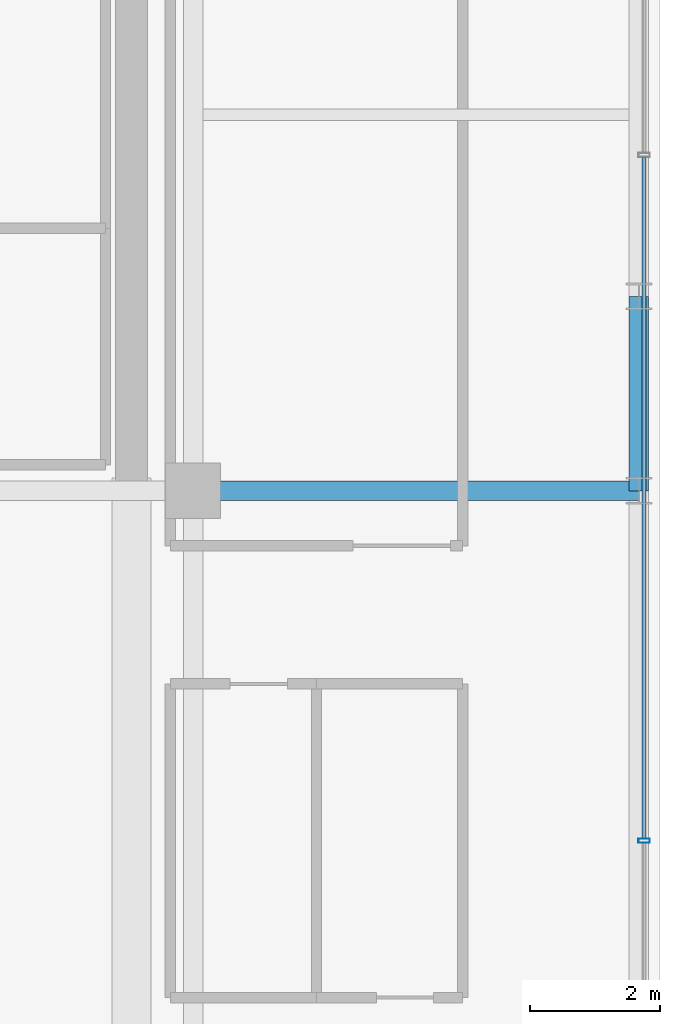
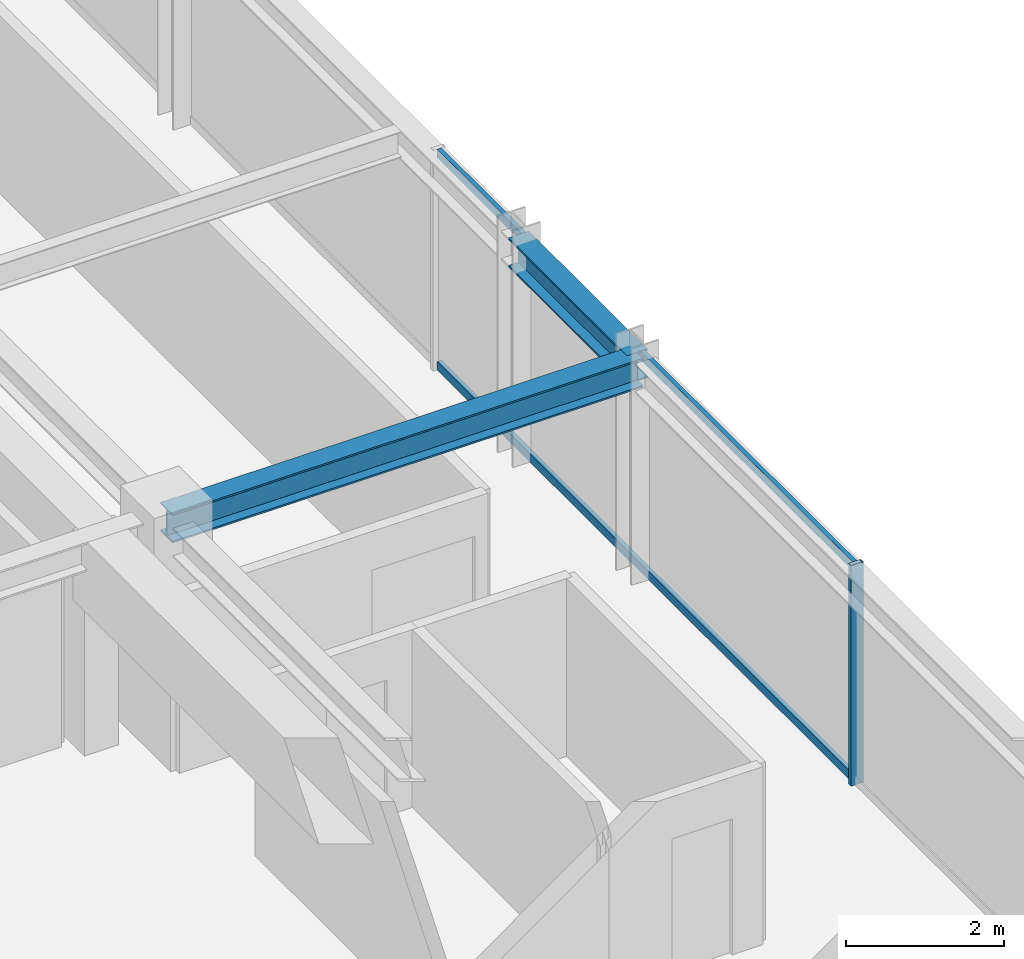
# One storey, part 17 of 36: 3 members, 2 beams, 1 element without a shape of its own.
"""IFC4 building model written with IfcOpenShell, lengths in metres."""

from ifc_helpers import new_model, si_unit, direction, frame, origin, origin_2d, place, context, subcontext, project, spatial, hollow_rectangle, i_section, extrude, source, transform, mapped, material, material_profile, profile_set, type_object, element, aggregate, save


model = new_model("IFC4")

# Units and contexts
model_context = context("Model", 3, precision=1e-05, world=origin(), true_north=direction((0.0, 1.0)))
body_context = subcontext(model_context, "Body", "Model", "MODEL_VIEW")
ifc_project = project(units=[si_unit("LENGTHUNIT", "METRE"), si_unit("AREAUNIT", "SQUARE_METRE"), si_unit("VOLUMEUNIT", "CUBIC_METRE"), si_unit("PLANEANGLEUNIT", "RADIAN"), si_unit("MASSUNIT", "GRAM", prefix="KILO")], contexts=[model_context])

# Site, building, storey
site_placement = place(None, origin())
site = spatial("IfcSite", under=ifc_project, at=site_placement, CompositionType="ELEMENT")
building_placement = place(site_placement, origin())
building = spatial("IfcBuilding", under=site, at=building_placement, Name="Nahalor Promenade Grand Hotel", CompositionType="ELEMENT")
storey_placement = place(building_placement, frame((0.0, 0.0, 212.300048828125)))
storey = spatial("IfcBuildingStorey", under=building, at=storey_placement, Name="L54", CompositionType="ELEMENT", Elevation=212.300048828125)

# Beams
ifc_material_1 = material(Name="Steel S355JR", Category="steel")
ifc_material_profile_1 = material_profile(ifc_material_1, i_section(OverallWidth=0.3, OverallDepth=0.45, WebThickness=0.014, FlangeThickness=0.026, at=origin_2d()), Name="HEB 450")
ifc_profile_set_1 = profile_set([ifc_material_profile_1], Name="Steel S355JR")
beam_type_1 = type_object("IfcBeamType", Name="Beam-Spandrel-HEB450", PredefinedType="SPANDREL", material=ifc_profile_set_1)
shared_shape_1 = source(origin(), body_context, "Body", "SweptSolid", [
    extrude(i_section(OverallWidth=0.3, OverallDepth=0.45, WebThickness=0.014, FlangeThickness=0.026, at=origin_2d()), origin(), (0.0, 0.0, 1.0), 3.0),
])
beam_1_placement = place(storey_placement, frame((23.8798828125, 5.39990234375, 3.18505859375), z_axis=(0.0, 1.0, 0.0), x_axis=(-1.0, 0.0, 0.0)))
element("IfcBeam", 1, at=beam_1_placement, inside=storey, type_object=beam_type_1, Name="BM-L54-SP-E-3", PredefinedType="SPANDREL", context=body_context, shape_type="MappedRepresentation", body=[
    mapped(shared_shape_1, transform((0.0, 0.0, 0.0), scale=1.0)),
])
ifc_material_profile_2 = material_profile(ifc_material_1, i_section(OverallWidth=0.3, OverallDepth=0.45, WebThickness=0.014, FlangeThickness=0.026, at=origin_2d()), Name="HEB 450")
ifc_profile_set_2 = profile_set([ifc_material_profile_2], Name="Steel S355JR")
beam_type_2 = type_object("IfcBeamType", Name="Beam-Girder-HEB450", PredefinedType="BEAM", material=ifc_profile_set_2)
shared_shape_2 = source(origin(), body_context, "Body", "SweptSolid", [
    extrude(i_section(OverallWidth=0.3, OverallDepth=0.45, WebThickness=0.014, FlangeThickness=0.026, at=origin_2d()), origin(), (0.0, 0.0, 1.0), 6.8798828125),
])
beam_2_placement = place(storey_placement, frame((17.0, 5.39990234375, 3.18505859375), z_axis=(1.0, 0.0, 0.0), x_axis=(0.0, 1.0, 0.0)))
element("IfcBeam", 2, at=beam_2_placement, inside=storey, type_object=beam_type_2, Name="BM-L54-GX-2-6", PredefinedType="BEAM", context=body_context, shape_type="MappedRepresentation", body=[
    mapped(shared_shape_2, transform((0.0, 0.0, 0.0), scale=1.0)),
])

# Curtain wall, members
ifc_material_2 = material(Name="Anodised Bronze Aluminium EN AW-6063 T6", Category="aluminium")
curtain_wall_type = type_object("IfcCurtainWallType", Name="CW2 Typical Hotel Flush Bronze Unitised Curtain Wall", PredefinedType="USERDEFINED", material=ifc_material_2)
curtain_wall_placement = place(storey_placement, origin())
curtain_wall = element("IfcCurtainWall", 3, at=curtain_wall_placement, inside=storey, type_object=curtain_wall_type, Name="L54 Curtain Wall CW-L54-E-1", ObjectType="UNITISED_CURTAIN_WALL", PredefinedType="USERDEFINED")
ifc_material_profile_3 = material_profile(ifc_material_2, hollow_rectangle(XDim=0.065, YDim=0.13, WallThickness=0.004, at=origin_2d()), Name="CWT 65x130x4")
ifc_profile_set_3 = profile_set([ifc_material_profile_3], Name="Anodised Bronze Aluminium EN AW-6063 T6")
member_type_1 = type_object("IfcMemberType", Name="CWT2 Typical Bronze Transom 65x130", PredefinedType="USERDEFINED", material=ifc_profile_set_3)
shared_shape_3 = source(origin(), body_context, "Body", "SweptSolid", [
    extrude(hollow_rectangle(XDim=0.065, YDim=0.13, WallThickness=0.004, at=origin_2d()), origin(), (0.0, 0.0, 1.0), 10.51513671875),
])
member_1_placement = place(storey_placement, frame((23.9599609375, 0.032470703125, 0.06494140625), z_axis=(0.0, 1.0, 0.0), x_axis=(-1.0, 0.0, 0.0)))
member_1 = element("IfcMember", 4, at=member_1_placement, type_object=member_type_1, Name="CW-L54-E-1 Transom 2-0", ObjectType="TRANSOM", PredefinedType="USERDEFINED", context=body_context, shape_type="MappedRepresentation", body=[
    mapped(shared_shape_3, transform((0.0, 0.0, 0.0), scale=1.0)),
])
member_2_placement = place(storey_placement, frame((23.9599609375, 0.032470703125, 3.344970703125), z_axis=(0.0, 1.0, 0.0), x_axis=(-1.0, 0.0, 0.0)))
member_2 = element("IfcMember", 5, at=member_2_placement, type_object=member_type_1, Name="CW-L54-E-1 Transom 2-1", ObjectType="TRANSOM", PredefinedType="USERDEFINED", context=body_context, shape_type="MappedRepresentation", body=[
    mapped(shared_shape_3, transform((0.0, 0.0, 0.0), scale=1.0)),
])
ifc_material_profile_4 = material_profile(ifc_material_2, hollow_rectangle(XDim=0.065, YDim=0.18, WallThickness=0.004, at=origin_2d()), Name="CWM 65x180x4")
ifc_profile_set_4 = profile_set([ifc_material_profile_4], Name="Anodised Bronze Aluminium EN AW-6063 T6")
member_type_2 = type_object("IfcMemberType", Name="CWM2 Typical Bronze Mullion 65x180", PredefinedType="MULLION", material=ifc_profile_set_4)
shared_shape_4 = source(origin(), body_context, "Body", "SweptSolid", [
    extrude(hollow_rectangle(XDim=0.065, YDim=0.18, WallThickness=0.004, at=origin_2d()), origin(), (0.0, 0.0, 1.0), 3.409912109375),
])
member_3_placement = place(storey_placement, frame((23.9599609375, 0.0, 0.0), z_axis=(0.0, 0.0, 1.0), x_axis=(0.0, 1.0, 0.0)))
member_3 = element("IfcMember", 6, at=member_3_placement, type_object=member_type_2, Name="CW-L54-E-1 Mullion 2", PredefinedType="MULLION", context=body_context, shape_type="MappedRepresentation", body=[
    mapped(shared_shape_4, transform((0.0, 0.0, 0.0), scale=1.0)),
])
aggregate(curtain_wall, [member_3, member_1, member_2])

save(model, "model.ifc")
